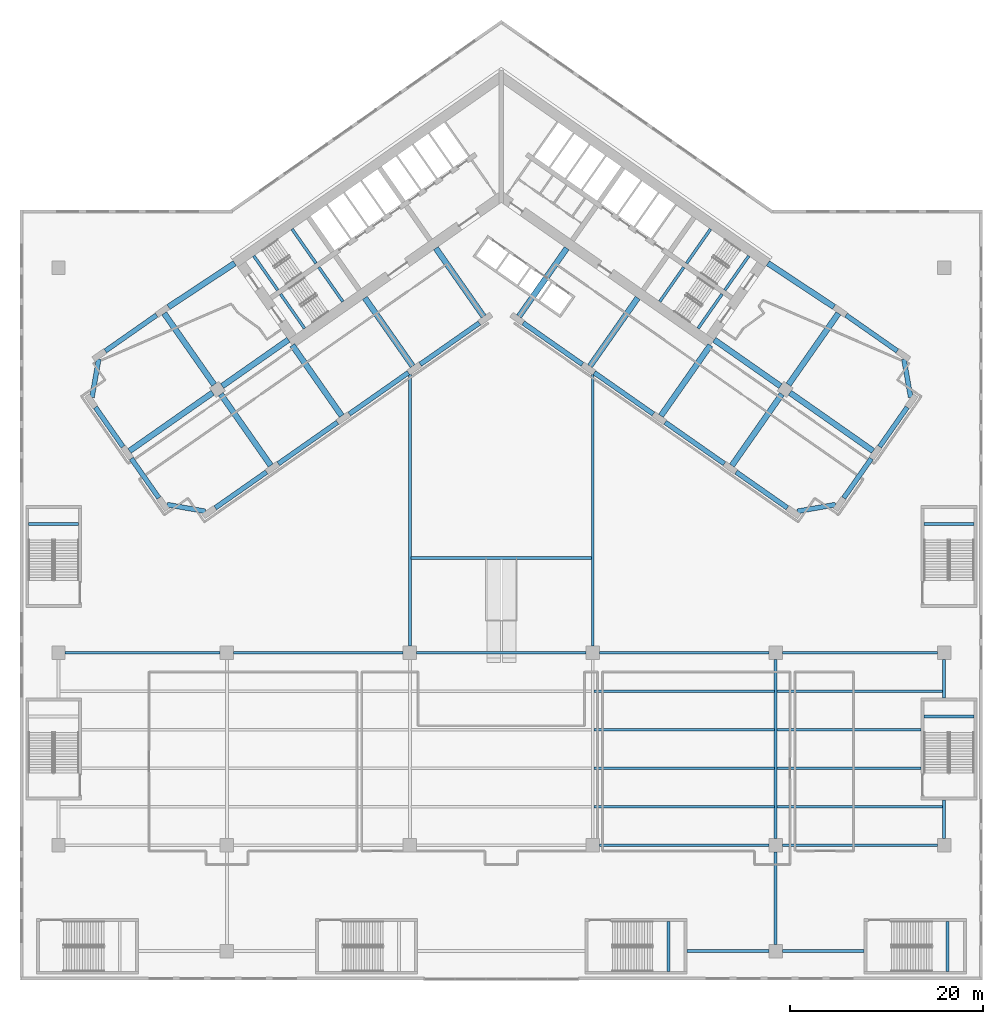
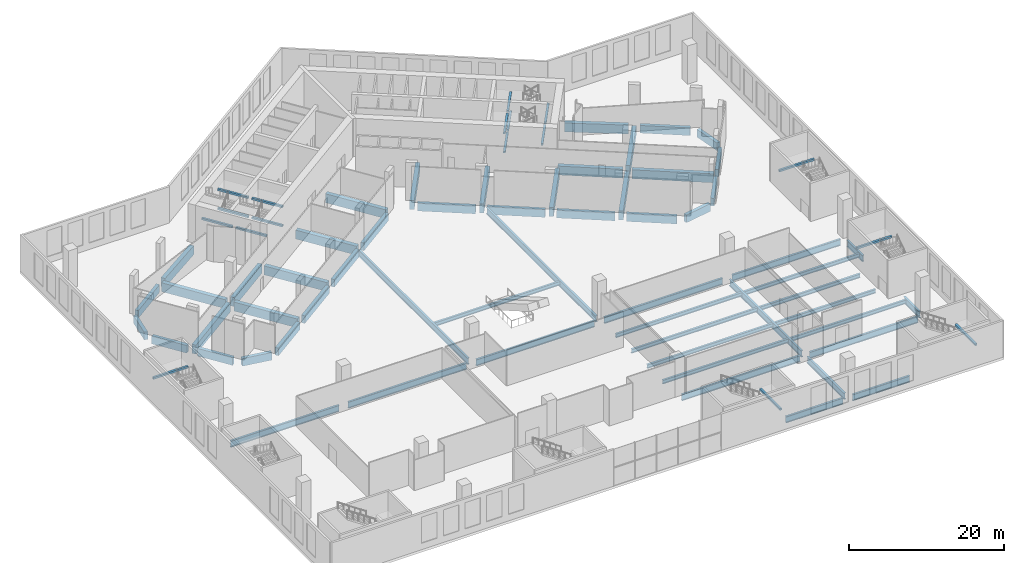
# One storey, part 3 of 25: 75 beams.
"""IFC4 building model written with IfcOpenShell, lengths in metres."""

from ifc_helpers import new_model, si_unit, direction, frame, origin, origin_2d, place, context, subcontext, project, spatial, rectangle, i_section, extrude, material, material_profile, profile_set, type_object, element, save


model = new_model("IFC4")

# Units and contexts
model_context = context("Model", 3, precision=1e-05, world=origin(), true_north=direction((0.0, 1.0)))
body_context = subcontext(model_context, "Body", "Model", "MODEL_VIEW")
ifc_project = project(units=[si_unit("LENGTHUNIT", "METRE"), si_unit("AREAUNIT", "SQUARE_METRE"), si_unit("VOLUMEUNIT", "CUBIC_METRE"), si_unit("PLANEANGLEUNIT", "RADIAN"), si_unit("MASSUNIT", "GRAM", prefix="KILO")], contexts=[model_context])

# Site, building, storey
site_placement = place(None, origin())
site = spatial("IfcSite", under=ifc_project, at=site_placement, CompositionType="ELEMENT")
building_placement = place(site_placement, origin())
building = spatial("IfcBuilding", under=site, at=building_placement, Name="Tel Ilan Convention Tower", CompositionType="ELEMENT")
storey_placement = place(building_placement, frame((0.0, 0.0, 26.0)))
storey = spatial("IfcBuildingStorey", under=building, at=storey_placement, Name="L03", CompositionType="ELEMENT", Elevation=26.0)

# Beams
ifc_material_1 = material(Name="Concrete C40/50", Category="concrete")
ifc_material_profile_1 = material_profile(ifc_material_1, rectangle(XDim=0.5, YDim=1.199951171875, at=origin_2d()), Name="RC 500x1200")
ifc_profile_set_1 = profile_set([ifc_material_profile_1], Name="Concrete C40/50")
beam_type_1 = type_object("IfcBeamType", Name="Beam RC 500x1200 Concrete C40/50", PredefinedType="BEAM", material=ifc_profile_set_1)
beam_1_placement = place(storey_placement, frame((-2.279541015625, -13.742919921875, -1.0), z_axis=(-0.819147803225, -0.57358249317, 0.0), x_axis=(0.57358249317, -0.819147803225, 0.0)))
element("IfcBeam", 1, at=beam_1_placement, inside=storey, type_object=beam_type_1, Name="L03 beam W-W-F1-W-F2", PredefinedType="BEAM", context=body_context, shape_type="SweptSolid", body=[
    extrude(rectangle(XDim=0.5, YDim=1.199951171875, at=origin_2d()), origin(), (0.0, 0.0, 1.0), 7.500244140625),
])
for number, where, z_axis, x_axis, name in (
    (2, (-9.652099609375, -18.905029296875, -1.0), (-0.81915238829, -0.573575945067, 0.0), (0.573575945067, -0.81915238829, 0.0), "L03 beam W-W-F2-W-F3"),
    (3, (-17.0244140625, -24.0673828125, -1.0), (-0.81915238829, -0.573575945067, 0.0), (0.573575945067, -0.81915238829, 0.0), "L03 beam W-W-F3-W-F4"),
):
    element("IfcBeam", number, at=place(storey_placement, frame(where, z_axis=z_axis, x_axis=x_axis)), inside=storey, type_object=beam_type_1, Name=name, PredefinedType="BEAM", context=body_context, shape_type="SweptSolid", body=[
        extrude(rectangle(XDim=0.5, YDim=1.199951171875, at=origin_2d()), origin(), (0.0, 0.0, 1.0), 7.5),
    ])
beam_2_placement = place(storey_placement, frame((-24.396728515625, -29.2294921875, -1.0), z_axis=(-0.819148977158, -0.573580816643, 0.0), x_axis=(0.573580816643, -0.819148977158, 0.0)))
element("IfcBeam", 4, at=beam_2_placement, inside=storey, type_object=beam_type_1, Name="L03 beam W-W-F4-W-FC", PredefinedType="BEAM", context=body_context, shape_type="SweptSolid", body=[
    extrude(rectangle(XDim=0.5, YDim=1.199951171875, at=origin_2d()), origin(), (0.0, 0.0, 1.0), 6.5),
])
beam_3_placement = place(storey_placement, frame((-30.75341796875, -33.314208984375, -1.0), z_axis=(-0.984815252405, 0.173605641124, 0.0), x_axis=(-0.173605641124, -0.984815252405, 0.0)))
element("IfcBeam", 5, at=beam_3_placement, inside=storey, type_object=beam_type_1, Name="L03 beam W-W-FC-W-E1", PredefinedType="BEAM", context=body_context, shape_type="SweptSolid", body=[
    extrude(rectangle(XDim=0.5, YDim=1.199951171875, at=origin_2d()), origin(), (0.0, 0.0, 1.0), 4.030517578125),
])
for number, where, z_axis, x_axis, name in (
    (6, (-35.57080078125, -31.92626953125, -1.0), (-0.573586866468, 0.819144740944, 0.0), (-0.819144740944, -0.573586866468, 0.0), "L03 beam W-W-E1-W-E2"),
    (7, (-39.298828125, -26.601806640625, -1.0), (-0.573586866468, 0.819144740944, 0.0), (-0.819144740944, -0.573586866468, 0.0), "L03 beam W-W-E2-W-E3"),
):
    element("IfcBeam", number, at=place(storey_placement, frame(where, z_axis=z_axis, x_axis=x_axis)), inside=storey, type_object=beam_type_1, Name=name, PredefinedType="BEAM", context=body_context, shape_type="SweptSolid", body=[
        extrude(rectangle(XDim=0.5, YDim=1.199951171875, at=origin_2d()), origin(), (0.0, 0.0, 1.0), 5.0),
    ])
beam_4_placement = place(storey_placement, frame((-42.523193359375, -21.473876953125, -1.0), z_axis=(0.173605641124, 0.984815252405, 0.0), x_axis=(-0.984815252405, 0.173605641124, 0.0)))
element("IfcBeam", 8, at=beam_4_placement, inside=storey, type_object=beam_type_1, Name="L03 beam W-W-E3-W-BC", PredefinedType="BEAM", context=body_context, shape_type="SweptSolid", body=[
    extrude(rectangle(XDim=0.5, YDim=1.199951171875, at=origin_2d()), origin(), (0.0, 0.0, 1.0), 4.030517578125),
])
beam_5_placement = place(storey_placement, frame((-41.135498046875, -16.656494140625, -1.0), z_axis=(0.819178980414, 0.573537965655, 0.0), x_axis=(-0.573537965655, 0.819178980414, 0.0)))
element("IfcBeam", 9, at=beam_5_placement, inside=storey, type_object=beam_type_1, Name="L03 beam W-W-BC-W-B4", PredefinedType="BEAM", context=body_context, shape_type="SweptSolid", body=[
    extrude(rectangle(XDim=0.5, YDim=1.199951171875, at=origin_2d()), origin(), (0.0, 0.0, 1.0), 6.5),
])
beam_6_placement = place(storey_placement, frame((2.279541015625, -13.742919921875, -1.0), z_axis=(0.819147803225, -0.57358249317, 0.0), x_axis=(0.57358249317, 0.819147803225, 0.0)))
element("IfcBeam", 10, at=beam_6_placement, inside=storey, type_object=beam_type_1, Name="L03 beam E-E-F1-E-F2", PredefinedType="BEAM", context=body_context, shape_type="SweptSolid", body=[
    extrude(rectangle(XDim=0.5, YDim=1.199951171875, at=origin_2d()), origin(), (0.0, 0.0, 1.0), 7.500244140625),
])
for number, where, z_axis, x_axis, name in (
    (11, (9.652099609375, -18.905029296875, -1.0), (0.81915238829, -0.573575945067, 0.0), (0.573575945067, 0.81915238829, 0.0), "L03 beam E-E-F2-E-F3"),
    (12, (17.0244140625, -24.0673828125, -1.0), (0.81915238829, -0.573575945067, 0.0), (0.573575945067, 0.81915238829, 0.0), "L03 beam E-E-F3-E-F4"),
):
    element("IfcBeam", number, at=place(storey_placement, frame(where, z_axis=z_axis, x_axis=x_axis)), inside=storey, type_object=beam_type_1, Name=name, PredefinedType="BEAM", context=body_context, shape_type="SweptSolid", body=[
        extrude(rectangle(XDim=0.5, YDim=1.199951171875, at=origin_2d()), origin(), (0.0, 0.0, 1.0), 7.5),
    ])
beam_7_placement = place(storey_placement, frame((24.396728515625, -29.2294921875, -1.0), z_axis=(0.819148977158, -0.573580816643, 0.0), x_axis=(0.573580816643, 0.819148977158, 0.0)))
element("IfcBeam", 13, at=beam_7_placement, inside=storey, type_object=beam_type_1, Name="L03 beam E-E-F4-E-FC", PredefinedType="BEAM", context=body_context, shape_type="SweptSolid", body=[
    extrude(rectangle(XDim=0.5, YDim=1.199951171875, at=origin_2d()), origin(), (0.0, 0.0, 1.0), 6.5),
])
beam_8_placement = place(storey_placement, frame((30.75341796875, -33.314208984375, -1.0), z_axis=(0.984815252405, 0.173605641124, 0.0), x_axis=(-0.173605641124, 0.984815252405, 0.0)))
element("IfcBeam", 14, at=beam_8_placement, inside=storey, type_object=beam_type_1, Name="L03 beam E-E-FC-E-E1", PredefinedType="BEAM", context=body_context, shape_type="SweptSolid", body=[
    extrude(rectangle(XDim=0.5, YDim=1.199951171875, at=origin_2d()), origin(), (0.0, 0.0, 1.0), 4.030517578125),
])
for number, where, z_axis, x_axis, name in (
    (15, (35.57080078125, -31.92626953125, -1.0), (0.573586866468, 0.819144740944, 0.0), (-0.819144740944, 0.573586866468, 0.0), "L03 beam E-E-E1-E-E2"),
    (16, (39.298828125, -26.601806640625, -1.0), (0.573586866468, 0.819144740944, 0.0), (-0.819144740944, 0.573586866468, 0.0), "L03 beam E-E-E2-E-E3"),
):
    element("IfcBeam", number, at=place(storey_placement, frame(where, z_axis=z_axis, x_axis=x_axis)), inside=storey, type_object=beam_type_1, Name=name, PredefinedType="BEAM", context=body_context, shape_type="SweptSolid", body=[
        extrude(rectangle(XDim=0.5, YDim=1.199951171875, at=origin_2d()), origin(), (0.0, 0.0, 1.0), 5.0),
    ])
beam_9_placement = place(storey_placement, frame((42.523193359375, -21.473876953125, -1.0), z_axis=(-0.173605641124, 0.984815252405, 0.0), x_axis=(-0.984815252405, -0.173605641124, 0.0)))
element("IfcBeam", 17, at=beam_9_placement, inside=storey, type_object=beam_type_1, Name="L03 beam E-E-E3-E-BC", PredefinedType="BEAM", context=body_context, shape_type="SweptSolid", body=[
    extrude(rectangle(XDim=0.5, YDim=1.199951171875, at=origin_2d()), origin(), (0.0, 0.0, 1.0), 4.030517578125),
])
beam_10_placement = place(storey_placement, frame((41.135498046875, -16.656494140625, -1.0), z_axis=(-0.819178980414, 0.573537965655, 0.0), x_axis=(-0.573537965655, -0.819178980414, 0.0)))
element("IfcBeam", 18, at=beam_10_placement, inside=storey, type_object=beam_type_1, Name="L03 beam E-E-BC-E-B4", PredefinedType="BEAM", context=body_context, shape_type="SweptSolid", body=[
    extrude(rectangle(XDim=0.5, YDim=1.199951171875, at=origin_2d()), origin(), (0.0, 0.0, 1.0), 6.5),
])
ifc_material_2 = material(Name="Concrete C40/50", Category="concrete")
ifc_material_profile_2 = material_profile(ifc_material_2, rectangle(XDim=0.60009765625, YDim=1.39990234375, at=origin_2d()), Name="RC 600x1400")
ifc_profile_set_2 = profile_set([ifc_material_profile_2], Name="Concrete C40/50")
beam_type_2 = type_object("IfcBeamType", Name="Beam RC 600x1400 Concrete C40/50", PredefinedType="BEAM", material=ifc_profile_set_2)
beam_11_placement = place(storey_placement, frame((-34.570556640625, -12.08447265625, -1.10009765625), z_axis=(0.834273603487, 0.551350663847, 0.0), x_axis=(-0.551350663847, 0.834273603487, 0.0)))
element("IfcBeam", 19, at=beam_11_placement, inside=storey, type_object=beam_type_2, Name="L03 beam W-W-B4-core", PredefinedType="BEAM", context=body_context, shape_type="SweptSolid", body=[
    extrude(rectangle(XDim=0.60009765625, YDim=1.39990234375, at=origin_2d()), origin(), (0.0, 0.0, 1.0), 8.2529296875),
])
for number, where, z_axis, x_axis, name in (
    (20, (-1.83740234375, -13.06689453125, -1.10009765625), (-0.573574099654, 0.819153680457, 0.0), (-0.819153680457, -0.573574099654, 0.0), "L03 beam W-W-F1-core"),
    (21, (-9.209716796875, -18.229248046875, -1.10009765625), (-0.573574099654, 0.819153680457, 0.0), (-0.819153680457, -0.573574099654, 0.0), "L03 beam W-W-F2-core"),
):
    element("IfcBeam", number, at=place(storey_placement, frame(where, z_axis=z_axis, x_axis=x_axis)), inside=storey, type_object=beam_type_2, Name=name, PredefinedType="BEAM", context=body_context, shape_type="SweptSolid", body=[
        extrude(rectangle(XDim=0.60009765625, YDim=1.39990234375, at=origin_2d()), origin(), (0.0, 0.0, 1.0), 8.64990234375),
    ])
beam_12_placement = place(storey_placement, frame((-16.58203125, -23.391357421875, -1.10009765625), z_axis=(-0.573584999642, 0.819146048141, 0.0), x_axis=(-0.819146048141, -0.573584999642, 0.0)))
element("IfcBeam", 22, at=beam_12_placement, inside=storey, type_object=beam_type_2, Name="L03 beam W-W-F3-core", PredefinedType="BEAM", context=body_context, shape_type="SweptSolid", body=[
    extrude(rectangle(XDim=0.60009765625, YDim=1.39990234375, at=origin_2d()), origin(), (0.0, 0.0, 1.0), 8.949951171875),
])
beam_13_placement = place(storey_placement, frame((-22.1171875, -15.486572265625, -1.10009765625), z_axis=(-0.819147254605, -0.573583276668, 0.0), x_axis=(0.573583276668, -0.819147254605, 0.0)))
element("IfcBeam", 23, at=beam_13_placement, inside=storey, type_object=beam_type_2, Name="L03 beam W-core-W-M4", PredefinedType="BEAM", context=body_context, shape_type="SweptSolid", body=[
    extrude(rectangle(XDim=0.60009765625, YDim=1.39990234375, at=origin_2d()), origin(), (0.0, 0.0, 1.0), 8.400146484375),
])
beam_14_placement = place(storey_placement, frame((-29.98095703125, -20.992919921875, -1.10009765625), z_axis=(-0.819151461915, -0.573577268067, 0.0), x_axis=(0.573577268067, -0.819151461915, 0.0)))
element("IfcBeam", 24, at=beam_14_placement, inside=storey, type_object=beam_type_2, Name="L03 beam W-W-M4-end", PredefinedType="BEAM", context=body_context, shape_type="SweptSolid", body=[
    extrude(rectangle(XDim=0.60009765625, YDim=1.39990234375, at=origin_2d()), origin(), (0.0, 0.0, 1.0), 10.550048828125),
])
for number, where, z_axis, x_axis, name in (
    (25, (-29.145263671875, -21.14013671875, -1.10009765625), (0.573549245583, -0.819171082798, 0.0), (0.819171082798, 0.573549245583, 0.0), "L03 beam W-W-M4-W-F4"),
    (26, (-29.83349609375, -20.1572265625, -1.10009765625), (-0.57358002233, 0.819149533348, 0.0), (-0.819149533348, -0.57358002233, 0.0), "L03 beam W-W-M4-W-B4"),
):
    element("IfcBeam", number, at=place(storey_placement, frame(where, z_axis=z_axis, x_axis=x_axis)), inside=storey, type_object=beam_type_2, Name=name, PredefinedType="BEAM", context=body_context, shape_type="SweptSolid", body=[
        extrude(rectangle(XDim=0.60009765625, YDim=1.39990234375, at=origin_2d()), origin(), (0.0, 0.0, 1.0), 9.050048828125),
    ])
beam_15_placement = place(storey_placement, frame((34.570556640625, -12.08447265625, -1.10009765625), z_axis=(-0.834273603487, 0.551350663847, 0.0), x_axis=(-0.551350663847, -0.834273603487, 0.0)))
element("IfcBeam", 27, at=beam_15_placement, inside=storey, type_object=beam_type_2, Name="L03 beam E-E-B4-core", PredefinedType="BEAM", context=body_context, shape_type="SweptSolid", body=[
    extrude(rectangle(XDim=0.60009765625, YDim=1.39990234375, at=origin_2d()), origin(), (0.0, 0.0, 1.0), 8.2529296875),
])
for number, where, z_axis, x_axis, name in (
    (28, (1.83740234375, -13.06689453125, -1.10009765625), (0.573574099654, 0.819153680457, 0.0), (-0.819153680457, 0.573574099654, 0.0), "L03 beam E-E-F1-core"),
    (29, (9.209716796875, -18.229248046875, -1.10009765625), (0.573574099654, 0.819153680457, 0.0), (-0.819153680457, 0.573574099654, 0.0), "L03 beam E-E-F2-core"),
):
    element("IfcBeam", number, at=place(storey_placement, frame(where, z_axis=z_axis, x_axis=x_axis)), inside=storey, type_object=beam_type_2, Name=name, PredefinedType="BEAM", context=body_context, shape_type="SweptSolid", body=[
        extrude(rectangle(XDim=0.60009765625, YDim=1.39990234375, at=origin_2d()), origin(), (0.0, 0.0, 1.0), 8.64990234375),
    ])
beam_16_placement = place(storey_placement, frame((16.58203125, -23.391357421875, -1.10009765625), z_axis=(0.573584999642, 0.819146048141, 0.0), x_axis=(-0.819146048141, 0.573584999642, 0.0)))
element("IfcBeam", 30, at=beam_16_placement, inside=storey, type_object=beam_type_2, Name="L03 beam E-E-F3-core", PredefinedType="BEAM", context=body_context, shape_type="SweptSolid", body=[
    extrude(rectangle(XDim=0.60009765625, YDim=1.39990234375, at=origin_2d()), origin(), (0.0, 0.0, 1.0), 8.949951171875),
])
beam_17_placement = place(storey_placement, frame((22.1171875, -15.486572265625, -1.10009765625), z_axis=(0.819147254605, -0.573583276668, 0.0), x_axis=(0.573583276668, 0.819147254605, 0.0)))
element("IfcBeam", 31, at=beam_17_placement, inside=storey, type_object=beam_type_2, Name="L03 beam E-core-E-M4", PredefinedType="BEAM", context=body_context, shape_type="SweptSolid", body=[
    extrude(rectangle(XDim=0.60009765625, YDim=1.39990234375, at=origin_2d()), origin(), (0.0, 0.0, 1.0), 8.400146484375),
])
beam_18_placement = place(storey_placement, frame((29.98095703125, -20.992919921875, -1.10009765625), z_axis=(0.819151461915, -0.573577268067, 0.0), x_axis=(0.573577268067, 0.819151461915, 0.0)))
element("IfcBeam", 32, at=beam_18_placement, inside=storey, type_object=beam_type_2, Name="L03 beam E-E-M4-end", PredefinedType="BEAM", context=body_context, shape_type="SweptSolid", body=[
    extrude(rectangle(XDim=0.60009765625, YDim=1.39990234375, at=origin_2d()), origin(), (0.0, 0.0, 1.0), 10.550048828125),
])
for number, where, z_axis, x_axis, name in (
    (33, (29.145263671875, -21.14013671875, -1.10009765625), (-0.573549245583, -0.819171082798, 0.0), (0.819171082798, -0.573549245583, 0.0), "L03 beam E-E-M4-E-F4"),
    (34, (29.83349609375, -20.1572265625, -1.10009765625), (0.57358002233, 0.819149533348, 0.0), (-0.819149533348, 0.57358002233, 0.0), "L03 beam E-E-M4-E-B4"),
):
    element("IfcBeam", number, at=place(storey_placement, frame(where, z_axis=z_axis, x_axis=x_axis)), inside=storey, type_object=beam_type_2, Name=name, PredefinedType="BEAM", context=body_context, shape_type="SweptSolid", body=[
        extrude(rectangle(XDim=0.60009765625, YDim=1.39990234375, at=origin_2d()), origin(), (0.0, 0.0, 1.0), 9.050048828125),
    ])
ifc_material_3 = material(Name="Steel S355", Category="steel")
ifc_material_profile_3 = material_profile(ifc_material_3, i_section(OverallWidth=0.300048828125, OverallDepth=1.0, WebThickness=0.01904296875, FlangeThickness=0.035888671875, FilletRadius=0.030029296875, at=origin_2d()), Name="HEB 1000")
ifc_profile_set_3 = profile_set([ifc_material_profile_3], Name="Steel S355")
beam_type_3 = type_object("IfcBeamType", Name="Girder HEB 1000 Steel S355", PredefinedType="BEAM", material=ifc_profile_set_3)
beam_19_placement = place(storey_placement, frame((10.199951171875, -68.0, -0.89990234375), z_axis=(1.0, 0.0, 0.0), x_axis=(0.0, 1.0, 0.0)))
element("IfcBeam", 35, at=beam_19_placement, inside=storey, type_object=beam_type_3, Name="L03 beam GX24-5", PredefinedType="BEAM", context=body_context, shape_type="SweptSolid", body=[
    extrude(i_section(OverallWidth=0.300048828125, OverallDepth=1.0, WebThickness=0.01904296875, FlangeThickness=0.035888671875, FilletRadius=0.030029296875, at=origin_2d()), origin(), (0.0, 0.0, 1.0), 17.60009765625),
])
for number, where, z_axis, x_axis, name in (
    (36, (29.199951171875, -68.0, -0.89990234375), (1.0, 0.0, 0.0), (0.0, 1.0, 0.0), "L03 beam GX25-6"),
    (37, (-45.300048828125, -48.0, -0.89990234375), (1.0, 0.0, 0.0), (0.0, 1.0, 0.0), "L03 beam GX31-2"),
):
    element("IfcBeam", number, at=place(storey_placement, frame(where, z_axis=z_axis, x_axis=x_axis)), inside=storey, type_object=beam_type_3, Name=name, PredefinedType="BEAM", context=body_context, shape_type="SweptSolid", body=[
        extrude(i_section(OverallWidth=0.300048828125, OverallDepth=1.0, WebThickness=0.01904296875, FlangeThickness=0.035888671875, FilletRadius=0.030029296875, at=origin_2d()), origin(), (0.0, 0.0, 1.0), 16.10009765625),
    ])
for number, where, z_axis, x_axis, name in (
    (38, (-27.800048828125, -48.0, -0.89990234375), (1.0, 0.0, 0.0), (0.0, 1.0, 0.0), "L03 beam GX32-3"),
    (39, (-8.800048828125, -48.0, -0.89990234375), (1.0, 0.0, 0.0), (0.0, 1.0, 0.0), "L03 beam GX33-4"),
    (40, (10.199951171875, -48.0, -0.89990234375), (1.0, 0.0, 0.0), (0.0, 1.0, 0.0), "L03 beam GX34-5"),
):
    element("IfcBeam", number, at=place(storey_placement, frame(where, z_axis=z_axis, x_axis=x_axis)), inside=storey, type_object=beam_type_3, Name=name, PredefinedType="BEAM", context=body_context, shape_type="SweptSolid", body=[
        extrude(i_section(OverallWidth=0.300048828125, OverallDepth=1.0, WebThickness=0.01904296875, FlangeThickness=0.035888671875, FilletRadius=0.030029296875, at=origin_2d()), origin(), (0.0, 0.0, 1.0), 17.60009765625),
    ])
beam_20_placement = place(storey_placement, frame((29.199951171875, -48.0, -0.89990234375), z_axis=(1.0, 0.0, 0.0), x_axis=(0.0, 1.0, 0.0)))
element("IfcBeam", 41, at=beam_20_placement, inside=storey, type_object=beam_type_3, Name="L03 beam GX35-6", PredefinedType="BEAM", context=body_context, shape_type="SweptSolid", body=[
    extrude(i_section(OverallWidth=0.300048828125, OverallDepth=1.0, WebThickness=0.01904296875, FlangeThickness=0.035888671875, FilletRadius=0.030029296875, at=origin_2d()), origin(), (0.0, 0.0, 1.0), 16.10009765625),
])
beam_21_placement = place(storey_placement, frame((28.5, -78.300048828125, -0.89990234375), z_axis=(0.0, 1.0, 0.0), x_axis=(-1.0, 0.0, 0.0)))
element("IfcBeam", 42, at=beam_21_placement, inside=storey, type_object=beam_type_3, Name="L03 beam GY51-2", PredefinedType="BEAM", context=body_context, shape_type="SweptSolid", body=[
    extrude(i_section(OverallWidth=0.300048828125, OverallDepth=1.0, WebThickness=0.01904296875, FlangeThickness=0.035888671875, FilletRadius=0.030029296875, at=origin_2d()), origin(), (0.0, 0.0, 1.0), 9.60009765625),
])
beam_22_placement = place(storey_placement, frame((28.5, -67.300048828125, -0.89990234375), z_axis=(0.0, 1.0, 0.0), x_axis=(-1.0, 0.0, 0.0)))
element("IfcBeam", 43, at=beam_22_placement, inside=storey, type_object=beam_type_3, Name="L03 beam GY52-3", PredefinedType="BEAM", context=body_context, shape_type="SweptSolid", body=[
    extrude(i_section(OverallWidth=0.300048828125, OverallDepth=1.0, WebThickness=0.01904296875, FlangeThickness=0.035888671875, FilletRadius=0.030029296875, at=origin_2d()), origin(), (0.0, 0.0, 1.0), 18.60009765625),
])
for number, where, z_axis, x_axis, name in (
    (44, (46.0, -67.300048828125, -0.89990234375), (0.0, 1.0, 0.0), (-1.0, 0.0, 0.0), "L03 beam GY62-3"),
    (45, (46.0, -52.699951171875, -0.89990234375), (0.0, 1.0, 0.0), (-1.0, 0.0, 0.0), "L03 beam GY62-3"),
):
    element("IfcBeam", number, at=place(storey_placement, frame(where, z_axis=z_axis, x_axis=x_axis)), inside=storey, type_object=beam_type_3, Name=name, PredefinedType="BEAM", context=body_context, shape_type="SweptSolid", body=[
        extrude(i_section(OverallWidth=0.300048828125, OverallDepth=1.0, WebThickness=0.01904296875, FlangeThickness=0.035888671875, FilletRadius=0.030029296875, at=origin_2d()), origin(), (0.0, 0.0, 1.0), 4.0),
    ])
for number, where, z_axis, x_axis, name in (
    (46, (19.300048828125, -79.0, -0.89990234375), (1.0, 0.0, 0.0), (0.0, 1.0, 0.0), "L03 beam GS22"),
    (47, (29.199951171875, -79.0, -0.89990234375), (1.0, 0.0, 0.0), (0.0, 1.0, 0.0), "L03 beam GS23"),
):
    element("IfcBeam", number, at=place(storey_placement, frame(where, z_axis=z_axis, x_axis=x_axis)), inside=storey, type_object=beam_type_3, Name=name, PredefinedType="BEAM", context=body_context, shape_type="SweptSolid", body=[
        extrude(i_section(OverallWidth=0.300048828125, OverallDepth=1.0, WebThickness=0.01904296875, FlangeThickness=0.035888671875, FilletRadius=0.030029296875, at=origin_2d()), origin(), (0.0, 0.0, 1.0), 8.5),
    ])
for number, where, z_axis, x_axis, name in (
    (48, (-9.5, -47.300048828125, -0.89990234375), (0.0, 1.0, 0.0), (-1.0, 0.0, 0.0), "L03 beam GN1"),
    (49, (9.5, -47.300048828125, -0.89990234375), (0.0, 1.0, 0.0), (-1.0, 0.0, 0.0), "L03 beam GN2"),
):
    element("IfcBeam", number, at=place(storey_placement, frame(where, z_axis=z_axis, x_axis=x_axis)), inside=storey, type_object=beam_type_3, Name=name, PredefinedType="BEAM", context=body_context, shape_type="SweptSolid", body=[
        extrude(i_section(OverallWidth=0.300048828125, OverallDepth=1.0, WebThickness=0.01904296875, FlangeThickness=0.035888671875, FilletRadius=0.030029296875, at=origin_2d()), origin(), (0.0, 0.0, 1.0), 28.177734375),
    ])
ifc_material_4 = material(Name="Steel S355", Category="steel")
ifc_material_profile_4 = material_profile(ifc_material_4, i_section(OverallWidth=0.300048828125, OverallDepth=0.60009765625, WebThickness=0.015380859375, FlangeThickness=0.030029296875, FilletRadius=0.027099609375, at=origin_2d()), Name="HEB 600")
ifc_profile_set_4 = profile_set([ifc_material_profile_4], Name="Steel S355")
beam_type_4 = type_object("IfcBeamType", Name="Joist HEB 600 Steel S355", PredefinedType="JOIST", material=ifc_profile_set_4)
for number, where, z_axis, x_axis, name in (
    (50, (9.639892578125, -64.0, -0.699951171875), (1.0, 0.0, 0.0), (0.0, 1.0, 0.0), "L03 beam J4--68-1"),
    (51, (9.639892578125, -60.0, -0.699951171875), (1.0, 0.0, 0.0), (0.0, 1.0, 0.0), "L03 beam J4--68-2"),
    (52, (9.639892578125, -56.0, -0.699951171875), (1.0, 0.0, 0.0), (0.0, 1.0, 0.0), "L03 beam J4--68-3"),
    (53, (9.639892578125, -52.0, -0.699951171875), (1.0, 0.0, 0.0), (0.0, 1.0, 0.0), "L03 beam J4--68-4"),
):
    element("IfcBeam", number, at=place(storey_placement, frame(where, z_axis=z_axis, x_axis=x_axis)), inside=storey, type_object=beam_type_4, Name=name, PredefinedType="JOIST", context=body_context, shape_type="SweptSolid", body=[
        extrude(i_section(OverallWidth=0.300048828125, OverallDepth=0.60009765625, WebThickness=0.015380859375, FlangeThickness=0.030029296875, FilletRadius=0.027099609375, at=origin_2d()), origin(), (0.0, 0.0, 1.0), 18.72021484375),
    ])
beam_23_placement = place(storey_placement, frame((28.639892578125, -64.0, -0.699951171875), z_axis=(1.0, 0.0, 0.0), x_axis=(0.0, 1.0, 0.0)))
element("IfcBeam", 54, at=beam_23_placement, inside=storey, type_object=beam_type_4, Name="L03 beam J5--68-1", PredefinedType="JOIST", context=body_context, shape_type="SweptSolid", body=[
    extrude(i_section(OverallWidth=0.300048828125, OverallDepth=0.60009765625, WebThickness=0.015380859375, FlangeThickness=0.030029296875, FilletRadius=0.027099609375, at=origin_2d()), origin(), (0.0, 0.0, 1.0), 17.22021484375),
])
for number, where, z_axis, x_axis, name in (
    (55, (28.639892578125, -60.0, -0.699951171875), (1.0, 0.0, 0.0), (0.0, 1.0, 0.0), "L03 beam J5--68-2"),
    (56, (28.639892578125, -56.0, -0.699951171875), (1.0, 0.0, 0.0), (0.0, 1.0, 0.0), "L03 beam J5--68-3"),
):
    element("IfcBeam", number, at=place(storey_placement, frame(where, z_axis=z_axis, x_axis=x_axis)), inside=storey, type_object=beam_type_4, Name=name, PredefinedType="JOIST", context=body_context, shape_type="SweptSolid", body=[
        extrude(i_section(OverallWidth=0.300048828125, OverallDepth=0.60009765625, WebThickness=0.015380859375, FlangeThickness=0.030029296875, FilletRadius=0.027099609375, at=origin_2d()), origin(), (0.0, 0.0, 1.0), 14.960205078125),
    ])
beam_24_placement = place(storey_placement, frame((28.639892578125, -52.0, -0.699951171875), z_axis=(1.0, 0.0, 0.0), x_axis=(0.0, 1.0, 0.0)))
element("IfcBeam", 57, at=beam_24_placement, inside=storey, type_object=beam_type_4, Name="L03 beam J5--68-4", PredefinedType="JOIST", context=body_context, shape_type="SweptSolid", body=[
    extrude(i_section(OverallWidth=0.300048828125, OverallDepth=0.60009765625, WebThickness=0.015380859375, FlangeThickness=0.030029296875, FilletRadius=0.027099609375, at=origin_2d()), origin(), (0.0, 0.0, 1.0), 17.22021484375),
])
beam_25_placement = place(storey_placement, frame((-9.360107421875, -38.14404296875, -0.699951171875), z_axis=(1.0, 0.0, 0.0), x_axis=(0.0, 1.0, 0.0)))
element("IfcBeam", 58, at=beam_25_placement, inside=storey, type_object=beam_type_4, Name="L03 beam TE3", PredefinedType="JOIST", context=body_context, shape_type="SweptSolid", body=[
    extrude(i_section(OverallWidth=0.300048828125, OverallDepth=0.60009765625, WebThickness=0.015380859375, FlangeThickness=0.030029296875, FilletRadius=0.027099609375, at=origin_2d()), origin(), (0.0, 0.0, 1.0), 18.72021484375),
])
ifc_material_5 = material(Name="Concrete C40/50", Category="concrete")
ifc_material_profile_5 = material_profile(ifc_material_5, rectangle(XDim=0.300048828125, YDim=0.300048828125, at=origin_2d()), Name="RC 300x300")
ifc_profile_set_5 = profile_set([ifc_material_profile_5], Name="Concrete C40/50")
beam_type_5 = type_object("IfcBeamType", Name="Landing Beam RC 300x300 Concrete C40/50", PredefinedType="BEAM", material=ifc_profile_set_5)
beam_26_placement = place(storey_placement, frame((-19.242919921875, -7.553466796875, 1.14990234375), z_axis=(-0.57356780395, 0.819158088694, 0.0), x_axis=(-0.819158088694, -0.57356780395, 0.0)))
element("IfcBeam", 59, at=beam_26_placement, inside=storey, type_object=beam_type_5, Name="S1 landing beam L03.1", PredefinedType="BEAM", context=body_context, shape_type="SweptSolid", body=[
    extrude(rectangle(XDim=0.300048828125, YDim=0.300048828125, at=origin_2d()), origin(), (0.0, 0.0, 1.0), 4.35009765625),
])
beam_27_placement = place(storey_placement, frame((-23.219482421875, -10.337646484375, 2.64990234375), z_axis=(-0.573556512523, 0.819165994742, 0.0), x_axis=(-0.819165994742, -0.573556512523, 0.0)))
element("IfcBeam", 60, at=beam_27_placement, inside=storey, type_object=beam_type_5, Name="S1 landing beam L03.2", PredefinedType="BEAM", context=body_context, shape_type="SweptSolid", body=[
    extrude(rectangle(XDim=0.300048828125, YDim=0.300048828125, at=origin_2d()), origin(), (0.0, 0.0, 1.0), 4.349853515625),
])
beam_28_placement = place(storey_placement, frame((-19.242919921875, -7.553466796875, 4.14990234375), z_axis=(-0.57356780395, 0.819158088694, 0.0), x_axis=(-0.819158088694, -0.57356780395, 0.0)))
element("IfcBeam", 61, at=beam_28_placement, inside=storey, type_object=beam_type_5, Name="S1 landing beam L03.3", PredefinedType="BEAM", context=body_context, shape_type="SweptSolid", body=[
    extrude(rectangle(XDim=0.300048828125, YDim=0.300048828125, at=origin_2d()), origin(), (0.0, 0.0, 1.0), 4.35009765625),
])
for number, where, z_axis, x_axis, name in (
    (62, (-16.461181640625, -11.526123046875, 1.14990234375), (-0.573594173421, 0.819139624372, 0.0), (-0.819139624372, -0.573594173421, 0.0), "S2 landing beam L03.1"),
    (63, (-20.4375, -14.310546875, 2.64990234375), (-0.573594173421, 0.819139624372, 0.0), (-0.819139624372, -0.573594173421, 0.0), "S2 landing beam L03.2"),
    (64, (-16.461181640625, -11.526123046875, 4.14990234375), (-0.573594173421, 0.819139624372, 0.0), (-0.819139624372, -0.573594173421, 0.0), "S2 landing beam L03.3"),
):
    element("IfcBeam", number, at=place(storey_placement, frame(where, z_axis=z_axis, x_axis=x_axis)), inside=storey, type_object=beam_type_5, Name=name, PredefinedType="BEAM", context=body_context, shape_type="SweptSolid", body=[
        extrude(rectangle(XDim=0.300048828125, YDim=0.300048828125, at=origin_2d()), origin(), (0.0, 0.0, 1.0), 4.349853515625),
    ])
beam_29_placement = place(storey_placement, frame((21.738037109375, -3.989990234375, 1.14990234375), z_axis=(-0.57356780395, -0.819158088694, 0.0), x_axis=(0.819158088694, -0.57356780395, 0.0)))
element("IfcBeam", 65, at=beam_29_placement, inside=storey, type_object=beam_type_5, Name="S3 landing beam L03.1", PredefinedType="BEAM", context=body_context, shape_type="SweptSolid", body=[
    extrude(rectangle(XDim=0.300048828125, YDim=0.300048828125, at=origin_2d()), origin(), (0.0, 0.0, 1.0), 4.35009765625),
])
beam_30_placement = place(storey_placement, frame((25.71435546875, -6.7744140625, 2.64990234375), z_axis=(-0.573556512523, -0.819165994742, 0.0), x_axis=(0.819165994742, -0.573556512523, 0.0)))
element("IfcBeam", 66, at=beam_30_placement, inside=storey, type_object=beam_type_5, Name="S3 landing beam L03.2", PredefinedType="BEAM", context=body_context, shape_type="SweptSolid", body=[
    extrude(rectangle(XDim=0.300048828125, YDim=0.300048828125, at=origin_2d()), origin(), (0.0, 0.0, 1.0), 4.349853515625),
])
beam_31_placement = place(storey_placement, frame((21.738037109375, -3.989990234375, 4.14990234375), z_axis=(-0.57356780395, -0.819158088694, 0.0), x_axis=(0.819158088694, -0.57356780395, 0.0)))
element("IfcBeam", 67, at=beam_31_placement, inside=storey, type_object=beam_type_5, Name="S3 landing beam L03.3", PredefinedType="BEAM", context=body_context, shape_type="SweptSolid", body=[
    extrude(rectangle(XDim=0.300048828125, YDim=0.300048828125, at=origin_2d()), origin(), (0.0, 0.0, 1.0), 4.35009765625),
])
for number, where, z_axis, x_axis, name in (
    (68, (18.956298828125, -7.962890625, 1.14990234375), (-0.573594173421, -0.819139624372, 0.0), (0.819139624372, -0.573594173421, 0.0), "S4 landing beam L03.1"),
    (69, (22.9326171875, -10.747314453125, 2.64990234375), (-0.573594173421, -0.819139624372, 0.0), (0.819139624372, -0.573594173421, 0.0), "S4 landing beam L03.2"),
    (70, (18.956298828125, -7.962890625, 4.14990234375), (-0.573594173421, -0.819139624372, 0.0), (0.819139624372, -0.573594173421, 0.0), "S4 landing beam L03.3"),
):
    element("IfcBeam", number, at=place(storey_placement, frame(where, z_axis=z_axis, x_axis=x_axis)), inside=storey, type_object=beam_type_5, Name=name, PredefinedType="BEAM", context=body_context, shape_type="SweptSolid", body=[
        extrude(rectangle(XDim=0.300048828125, YDim=0.300048828125, at=origin_2d()), origin(), (0.0, 0.0, 1.0), 4.349853515625),
    ])
for number, where, z_axis, x_axis, name in (
    (71, (17.362060546875, -81.10009765625, 2.64990234375), (0.0, 1.0, 0.0), (-1.0, 0.0, 0.0), "P3 landing beam L03.1"),
    (72, (46.362060546875, -81.10009765625, 2.64990234375), (0.0, 1.0, 0.0), (-1.0, 0.0, 0.0), "P4 landing beam L03.1"),
    (73, (49.10009765625, -54.637939453125, 2.64990234375), (-1.0, 0.0, 0.0), (0.0, -1.0, 0.0), "P6 landing beam L03.1"),
    (74, (-43.89990234375, -34.637939453125, 2.64990234375), (-1.0, 0.0, 0.0), (0.0, -1.0, 0.0), "P7 landing beam L03.1"),
    (75, (49.10009765625, -34.637939453125, 2.64990234375), (-1.0, 0.0, 0.0), (0.0, -1.0, 0.0), "P8 landing beam L03.1"),
):
    element("IfcBeam", number, at=place(storey_placement, frame(where, z_axis=z_axis, x_axis=x_axis)), inside=storey, type_object=beam_type_5, Name=name, PredefinedType="BEAM", context=body_context, shape_type="SweptSolid", body=[
        extrude(rectangle(XDim=0.300048828125, YDim=0.300048828125, at=origin_2d()), origin(), (0.0, 0.0, 1.0), 5.2001953125),
    ])

save(model, "model.ifc")
